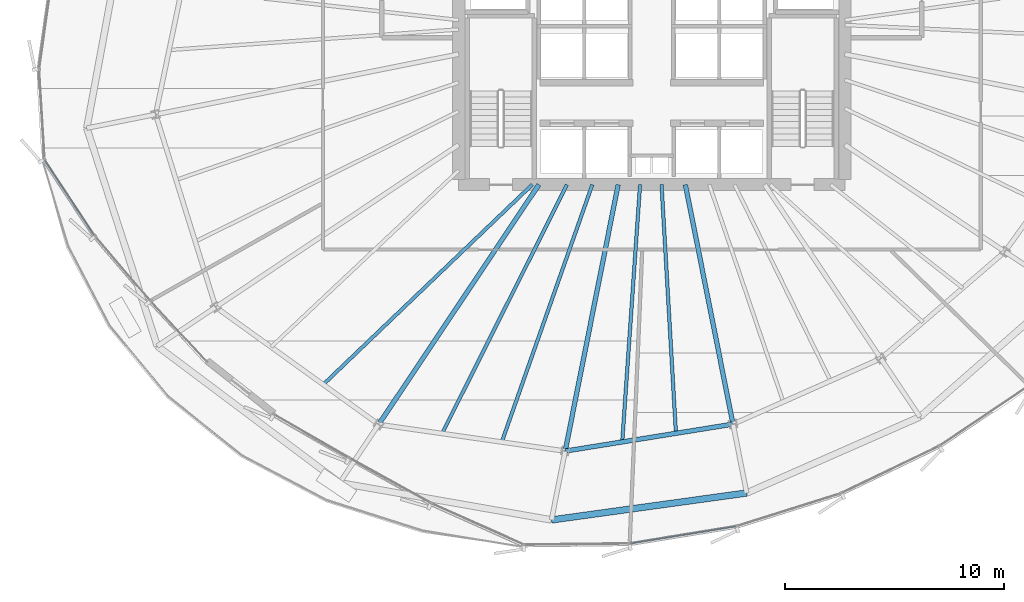
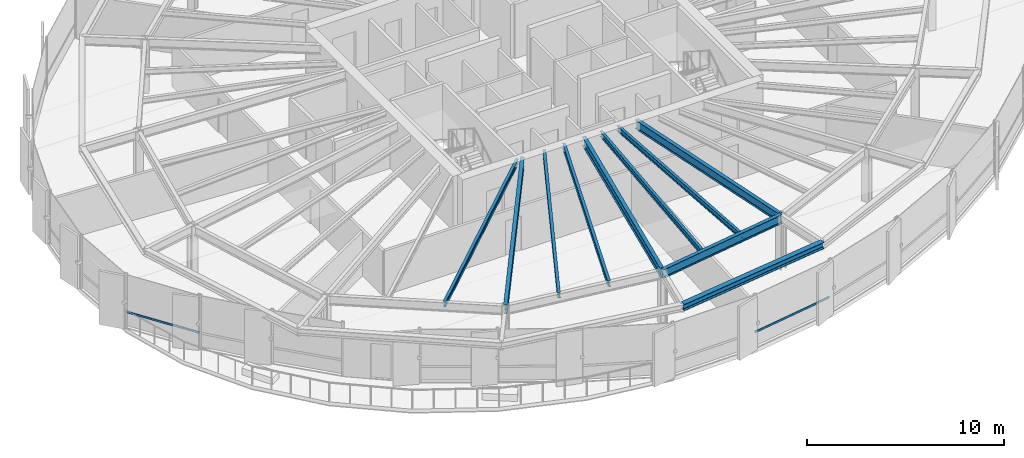
# One storey, part 6 of 35: 10 beams, 2 members, 2 elements without a shape of their own.
"""IFC4 building model written with IfcOpenShell, lengths in metres."""

from ifc_helpers import new_model, si_unit, direction, frame, origin, origin_2d, place, context, subcontext, project, spatial, hollow_rectangle, i_section, extrude, source, transform, mapped, material, layer, layer_set, material_profile, profile_set, type_object, element, aggregate, save


model = new_model("IFC4")

# Units and contexts
model_context = context("Model", 3, precision=1e-05, world=origin(), true_north=direction((0.0, 1.0)))
body_context = subcontext(model_context, "Body", "Model", "MODEL_VIEW")
ifc_project = project(units=[si_unit("LENGTHUNIT", "METRE"), si_unit("AREAUNIT", "SQUARE_METRE"), si_unit("VOLUMEUNIT", "CUBIC_METRE"), si_unit("PLANEANGLEUNIT", "RADIAN"), si_unit("MASSUNIT", "GRAM", prefix="KILO"), si_unit("THERMODYNAMICTEMPERATUREUNIT", "KELVIN")], contexts=[model_context])

# Site, building, storey
site_placement = place(None, origin())
site = spatial("IfcSite", under=ifc_project, at=site_placement, CompositionType="ELEMENT")
building_placement = place(site_placement, origin())
building = spatial("IfcBuilding", under=site, at=building_placement, Name="Kethvar Cultural Tower", CompositionType="ELEMENT")
storey_placement = place(building_placement, frame((0.0, 0.0, 121.60009765625)))
storey = spatial("IfcBuildingStorey", under=building, at=storey_placement, Name="L30", CompositionType="ELEMENT", Elevation=121.60009765625)

# Beams
ifc_material_1 = material(Name="Steel S355J2", Category="steel")
ifc_material_profile_1 = material_profile(ifc_material_1, i_section(OverallWidth=0.2099609375, OverallDepth=0.550048828125, WebThickness=0.010986328125, FlangeThickness=0.01708984375, FilletRadius=0.02392578125, at=origin_2d()), Name="Steel S355J2 — IPE550")
ifc_profile_set_1 = profile_set([ifc_material_profile_1], Name="Steel S355J2 — IPE550")
beam_type_1 = type_object("IfcBeamType", Name="BM-IPE550", PredefinedType="BEAM", material=ifc_profile_set_1)
shared_shape_1 = source(origin(), body_context, "Body", "SweptSolid", [
    extrude(i_section(OverallWidth=0.2099609375, OverallDepth=0.550048828125, WebThickness=0.010986328125, FlangeThickness=0.01708984375, FilletRadius=0.02392578125, at=origin_2d()), origin(), (0.0, 0.0, 1.0), 13.147216796875),
])
beam_1_placement = place(storey_placement, frame((41.655029296875, 20.10009765625, 3.072998046875), z_axis=(-0.555565525446, -0.831472757783, 0.0), x_axis=(0.831472757783, -0.555565525446, 0.0)))
element("IfcBeam", 1, at=beam_1_placement, inside=storey, type_object=beam_type_1, Name="L30 Primary Radial Beam RB-11", PredefinedType="BEAM", context=body_context, shape_type="MappedRepresentation", body=[
    mapped(shared_shape_1, transform((0.0, 0.0, 0.0), scale=1.0)),
])
shared_shape_2 = source(origin(), body_context, "Body", "SweptSolid", [
    extrude(i_section(OverallWidth=0.2099609375, OverallDepth=0.550048828125, WebThickness=0.010986328125, FlangeThickness=0.01708984375, FilletRadius=0.02392578125, at=origin_2d()), origin(), (0.0, 0.0, 1.0), 12.384521484375),
])
beam_2_placement = place(storey_placement, frame((45.268310546875, 20.10009765625, 3.072998046875), z_axis=(-0.195084858678, -0.980786367113, 0.0), x_axis=(0.980786367113, -0.195084858678, 0.0)))
element("IfcBeam", 2, at=beam_2_placement, inside=storey, type_object=beam_type_1, Name="L30 Primary Radial Beam RB-12", PredefinedType="BEAM", context=body_context, shape_type="MappedRepresentation", body=[
    mapped(shared_shape_2, transform((0.0, 0.0, 0.0), scale=1.0)),
])
shared_shape_3 = source(origin(), body_context, "Body", "SweptSolid", [
    extrude(i_section(OverallWidth=0.2099609375, OverallDepth=0.550048828125, WebThickness=0.010986328125, FlangeThickness=0.01708984375, FilletRadius=0.02392578125, at=origin_2d()), origin(), (0.0, 0.0, 1.0), 11.131591796875),
])
beam_3_placement = place(storey_placement, frame((48.33154296875, 20.10009765625, 3.072998046875), z_axis=(0.195107998266, -0.980781764213, 0.0), x_axis=(0.980781764213, 0.195107998266, 0.0)))
element("IfcBeam", 3, at=beam_3_placement, inside=storey, type_object=beam_type_1, Name="L30 Primary Radial Beam RB-13", PredefinedType="BEAM", context=body_context, shape_type="MappedRepresentation", body=[
    mapped(shared_shape_3, transform((0.0, 0.0, 0.0), scale=1.0)),
])
ifc_material_profile_2 = material_profile(ifc_material_1, i_section(OverallWidth=0.159912109375, OverallDepth=0.330078125, WebThickness=0.007568359375, FlangeThickness=0.011474609375, FilletRadius=0.01806640625, at=origin_2d()), Name="Steel S355J2 — IPE330")
ifc_profile_set_2 = profile_set([ifc_material_profile_2], Name="Steel S355J2 — IPE330")
beam_type_2 = type_object("IfcBeamType", Name="BM-J330", PredefinedType="JOIST", material=ifc_profile_set_2)
shared_shape_4 = source(origin(), body_context, "Body", "SweptSolid", [
    extrude(i_section(OverallWidth=0.159912109375, OverallDepth=0.330078125, WebThickness=0.007568359375, FlangeThickness=0.011474609375, FilletRadius=0.01806640625, at=origin_2d()), origin(), (0.0, 0.0, 1.0), 13.1826171875),
])
beam_4_placement = place(storey_placement, frame((41.35009765625, 20.10009765625, 3.182861328125), z_axis=(-0.722573880181, -0.691293705801, 0.0), x_axis=(0.691293705801, -0.722573880181, 0.0)))
element("IfcBeam", 4, at=beam_4_placement, inside=storey, type_object=beam_type_2, Name="L30 Composite Floor Joist J-10B", PredefinedType="JOIST", context=body_context, shape_type="MappedRepresentation", body=[
    mapped(shared_shape_4, transform((0.0, 0.0, 0.0), scale=1.0)),
])
shared_shape_5 = source(origin(), body_context, "Body", "SweptSolid", [
    extrude(i_section(OverallWidth=0.159912109375, OverallDepth=0.330078125, WebThickness=0.007568359375, FlangeThickness=0.011474609375, FilletRadius=0.01806640625, at=origin_2d()), origin(), (0.0, 0.0, 1.0), 12.693603515625),
])
beam_5_placement = place(storey_placement, frame((42.935302734375, 20.10009765625, 3.182861328125), z_axis=(-0.448582495233, -0.893741430712, 0.0), x_axis=(0.893741430712, -0.448582495233, 0.0)))
element("IfcBeam", 5, at=beam_5_placement, inside=storey, type_object=beam_type_2, Name="L30 Composite Floor Joist J-11A", PredefinedType="JOIST", context=body_context, shape_type="MappedRepresentation", body=[
    mapped(shared_shape_5, transform((0.0, 0.0, 0.0), scale=1.0)),
])
shared_shape_6 = source(origin(), body_context, "Body", "SweptSolid", [
    extrude(i_section(OverallWidth=0.159912109375, OverallDepth=0.330078125, WebThickness=0.007568359375, FlangeThickness=0.011474609375, FilletRadius=0.01806640625, at=origin_2d()), origin(), (0.0, 0.0, 1.0), 12.4384765625),
])
beam_6_placement = place(storey_placement, frame((44.090576171875, 20.10009765625, 3.182861328125), z_axis=(-0.331923676994, -0.943306245421, 0.0), x_axis=(0.943306245421, -0.331923676994, 0.0)))
element("IfcBeam", 6, at=beam_6_placement, inside=storey, type_object=beam_type_2, Name="L30 Composite Floor Joist J-11B", PredefinedType="JOIST", context=body_context, shape_type="MappedRepresentation", body=[
    mapped(shared_shape_6, transform((0.0, 0.0, 0.0), scale=1.0)),
])
shared_shape_7 = source(origin(), body_context, "Body", "SweptSolid", [
    extrude(i_section(OverallWidth=0.2099609375, OverallDepth=0.550048828125, WebThickness=0.010986328125, FlangeThickness=0.01708984375, FilletRadius=0.02392578125, at=origin_2d()), origin(), (0.0, 0.0, 1.0), 7.749267578125),
])
beam_7_placement = place(storey_placement, frame((42.852294921875, 7.95361328125, 3.072998046875), z_axis=(0.987348257569, 0.158566762831, 0.0), x_axis=(-0.158566762831, 0.987348257569, 0.0)))
element("IfcBeam", 7, at=beam_7_placement, inside=storey, type_object=beam_type_1, Name="L30 Column Ring Tie Beam CR-12", PredefinedType="BEAM", context=body_context, shape_type="MappedRepresentation", body=[
    mapped(shared_shape_7, transform((0.0, 0.0, 0.0), scale=1.0)),
])
ifc_material_profile_3 = material_profile(ifc_material_1, i_section(OverallWidth=0.300048828125, OverallDepth=0.39990234375, WebThickness=0.013427734375, FlangeThickness=0.02392578125, FilletRadius=0.027099609375, at=origin_2d()), Name="Steel S355J2 — HEB400")
ifc_profile_set_3 = profile_set([ifc_material_profile_3], Name="Steel S355J2 — HEB400")
beam_type_3 = type_object("IfcBeamType", Name="BM-SP400", PredefinedType="SPANDREL", material=ifc_profile_set_3)
shared_shape_8 = source(origin(), body_context, "Body", "SweptSolid", [
    extrude(i_section(OverallWidth=0.300048828125, OverallDepth=0.39990234375, WebThickness=0.013427734375, FlangeThickness=0.02392578125, FilletRadius=0.027099609375, at=origin_2d()), origin(), (0.0, 0.0, 1.0), 8.984130859375),
])
beam_8_placement = place(storey_placement, frame((42.22802734375, 4.81494140625, 3.14794921875), z_axis=(0.990602728928, 0.136770733127, 0.0), x_axis=(-0.136770733127, 0.990602728928, 0.0)))
element("IfcBeam", 8, at=beam_8_placement, inside=storey, type_object=beam_type_3, Name="L30 Perimeter Spandrel Beam SP-12", PredefinedType="SPANDREL", context=body_context, shape_type="MappedRepresentation", body=[
    mapped(shared_shape_8, transform((0.0, 0.0, 0.0), scale=1.0)),
])
shared_shape_9 = source(origin(), body_context, "Body", "SweptSolid", [
    extrude(i_section(OverallWidth=0.159912109375, OverallDepth=0.330078125, WebThickness=0.007568359375, FlangeThickness=0.011474609375, FilletRadius=0.01806640625, at=origin_2d()), origin(), (0.0, 0.0, 1.0), 11.7568359375),
])
beam_9_placement = place(storey_placement, frame((46.266357421875, 20.10009765625, 3.182861328125), z_axis=(-0.069129203877, -0.997607715072, 0.0), x_axis=(0.997607715072, -0.069129203877, 0.0)))
element("IfcBeam", 9, at=beam_9_placement, inside=storey, type_object=beam_type_2, Name="L30 Composite Floor Joist J-12A", PredefinedType="JOIST", context=body_context, shape_type="MappedRepresentation", body=[
    mapped(shared_shape_9, transform((0.0, 0.0, 0.0), scale=1.0)),
])
shared_shape_10 = source(origin(), body_context, "Body", "SweptSolid", [
    extrude(i_section(OverallWidth=0.159912109375, OverallDepth=0.330078125, WebThickness=0.007568359375, FlangeThickness=0.011474609375, FilletRadius=0.01806640625, at=origin_2d()), origin(), (0.0, 0.0, 1.0), 11.354736328125),
])
beam_10_placement = place(storey_placement, frame((47.245849609375, 20.10009765625, 3.182861328125), z_axis=(0.057795585741, -0.998328438075, 0.0), x_axis=(0.998328438075, 0.057795585741, 0.0)))
element("IfcBeam", 10, at=beam_10_placement, inside=storey, type_object=beam_type_2, Name="L30 Composite Floor Joist J-12B", PredefinedType="JOIST", context=body_context, shape_type="MappedRepresentation", body=[
    mapped(shared_shape_10, transform((0.0, 0.0, 0.0), scale=1.0)),
])

# Curtain wall, member
ifc_material_2 = material(Name="Aluminium 6063-T6", Category="aluminium")
ifc_layer = layer(ifc_material_2, 0.179931640625, Name="Aluminium 6063-T6", Category="aluminium")
ifc_layer_set = layer_set([ifc_layer], Name="Aluminium 6063-T6 (180 mm)")
curtain_wall_type = type_object("IfcCurtainWallType", Name="CW-SYS-03-Z2", PredefinedType="NOTDEFINED", material=ifc_layer_set)
curtain_wall_1_placement = place(storey_placement, origin())
curtain_wall_1 = element("IfcCurtainWall", 11, at=curtain_wall_1_placement, inside=storey, type_object=curtain_wall_type, Name="L30 Curtain Wall Run 05", PredefinedType="NOTDEFINED")
ifc_material_profile_4 = material_profile(ifc_material_2, hollow_rectangle(XDim=0.054931640625, YDim=0.1201171875, WallThickness=0.00390625, at=origin_2d()), Name="Aluminium 6063-T6 — RHS120x55x4")
ifc_profile_set_4 = profile_set([ifc_material_profile_4], Name="Aluminium 6063-T6 — RHS120x55x4")
member_type = type_object("IfcMemberType", Name="CW-SYS-03-Z2-TRN", PredefinedType="USERDEFINED", material=ifc_profile_set_4)
shared_shape_11 = source(origin(), body_context, "Body", "SweptSolid", [
    extrude(hollow_rectangle(XDim=0.054931640625, YDim=0.1201171875, WallThickness=0.00390625, at=origin_2d()), origin(), (0.0, 0.0, 1.0), 4.862060546875),
])
member_1_placement = place(storey_placement, frame((45.836181640625, 3.746337890625, 0.949951171875), z_axis=(0.9871037622, 0.160081737404, 0.0), x_axis=(-0.160081737404, 0.9871037622, 0.0)))
member_1 = element("IfcMember", 12, at=member_1_placement, type_object=member_type, Name="CW-L30-R05 Transom 5", ObjectType="TRANSOM", PredefinedType="USERDEFINED", context=body_context, shape_type="MappedRepresentation", body=[
    mapped(shared_shape_11, transform((0.0, 0.0, 0.0), scale=1.0)),
])
aggregate(curtain_wall_1, [member_1])

curtain_wall_2_placement = place(storey_placement, origin())
curtain_wall_2 = element("IfcCurtainWall", 13, at=curtain_wall_2_placement, inside=storey, type_object=curtain_wall_type, Name="L30 Curtain Wall Run 03", PredefinedType="NOTDEFINED")
shared_shape_12 = source(origin(), body_context, "Body", "SweptSolid", [
    extrude(hollow_rectangle(XDim=0.054931640625, YDim=0.1201171875, WallThickness=0.00390625, at=origin_2d()), origin(), (0.0, 0.0, 1.0), 4.088623046875),
])
member_2_placement = place(storey_placement, frame((19.131591796875, 21.219970703125, 0.949951171875), z_axis=(0.551029368781, -0.834485850533, 0.0), x_axis=(0.834485850533, 0.551029368781, 0.0)))
member_2 = element("IfcMember", 14, at=member_2_placement, type_object=member_type, Name="CW-L30-R03 Transom 6", ObjectType="TRANSOM", PredefinedType="USERDEFINED", context=body_context, shape_type="MappedRepresentation", body=[
    mapped(shared_shape_12, transform((0.0, 0.0, 0.0), scale=1.0)),
])
aggregate(curtain_wall_2, [member_2])

save(model, "model.ifc")
